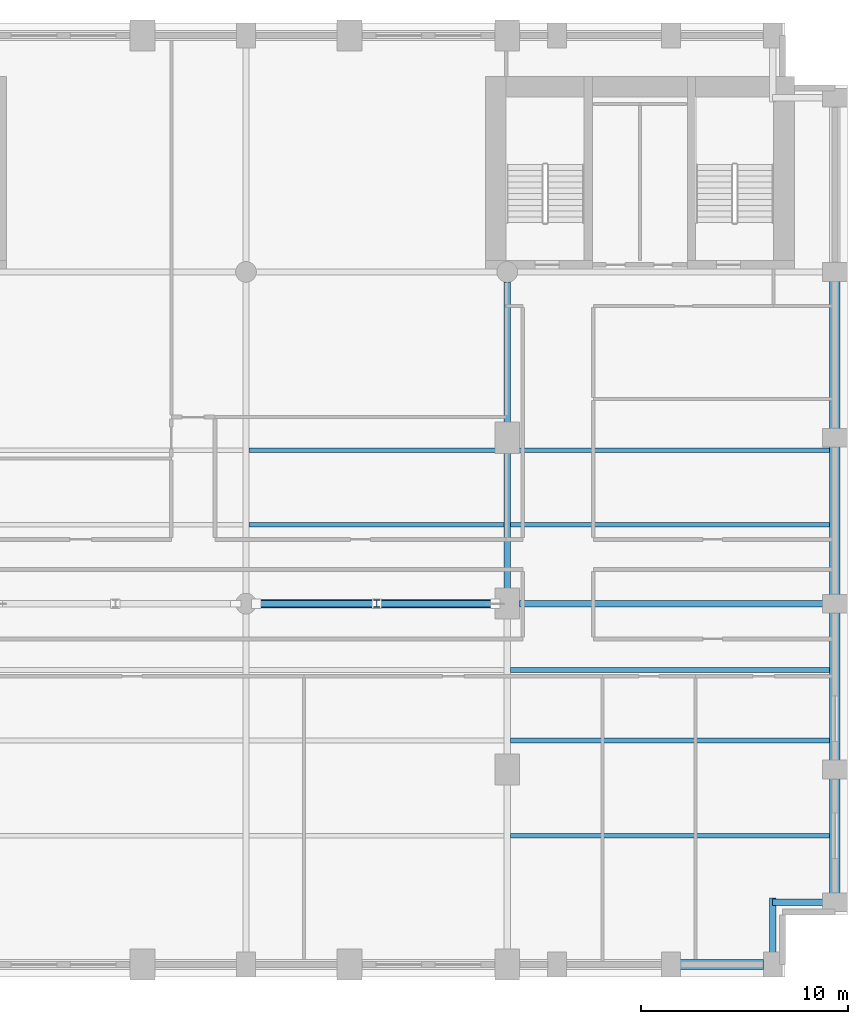
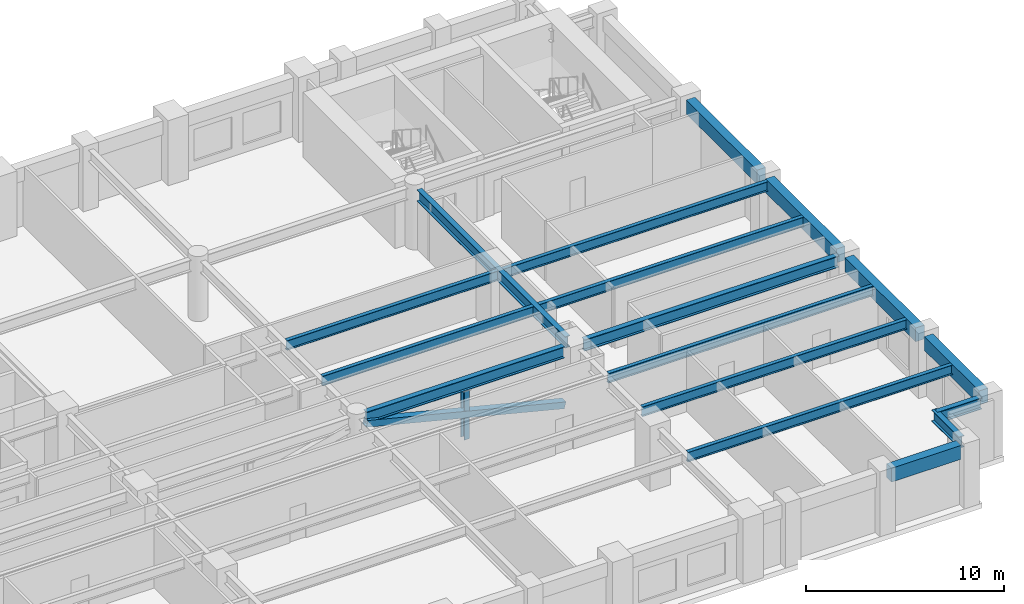
# One storey, part 3 of 10: 17 beams, 2 members.
"""IFC4 building model written with IfcOpenShell, lengths in metres."""

from ifc_helpers import new_model, si_unit, direction, frame, origin, origin_2d, place, context, subcontext, project, spatial, rectangle, hollow_rectangle, i_section, extrude, material, material_profile, profile_set, type_object, element, save


model = new_model("IFC4")

# Units and contexts
model_context = context("Model", 3, precision=1e-05, world=origin(), true_north=direction((0.0, 1.0)))
body_context = subcontext(model_context, "Body", "Model", "MODEL_VIEW")
ifc_project = project(units=[si_unit("LENGTHUNIT", "METRE"), si_unit("AREAUNIT", "SQUARE_METRE"), si_unit("VOLUMEUNIT", "CUBIC_METRE"), si_unit("PLANEANGLEUNIT", "RADIAN"), si_unit("MASSUNIT", "GRAM", prefix="KILO")], contexts=[model_context])

# Site, building, storey
site_placement = place(None, origin())
site = spatial("IfcSite", under=ifc_project, at=site_placement, CompositionType="ELEMENT")
building_placement = place(site_placement, origin())
building = spatial("IfcBuilding", under=site, at=building_placement, Name="Sulina Concourse Tower", CompositionType="ELEMENT")
storey_placement = place(building_placement, frame((0.0, 0.0, 58.60009765625)))
storey = spatial("IfcBuildingStorey", under=building, at=storey_placement, Name="L14", CompositionType="ELEMENT", Elevation=58.60009765625)

# Beams
ifc_material_1 = material(Name="Steel S355", Category="steel")
ifc_material_profile_1 = material_profile(ifc_material_1, i_section(OverallWidth=0.219970703125, OverallDepth=0.60009765625, WebThickness=0.011962890625, FlangeThickness=0.01904296875, at=origin_2d()), Name="IPE 600")
ifc_profile_set_1 = profile_set([ifc_material_profile_1], Name="Steel S355")
beam_type_1 = type_object("IfcBeamType", Name="Composite Floor Joist IPE600", PredefinedType="JOIST", material=ifc_profile_set_1)
for number, where, z_axis, x_axis, name in (
    (1, (41.75, 6.800048828125, 3.39990234375), (1.0, 0.0, 0.0), (0.0, 1.0, 0.0), "FJ-J06-4-L14"),
    (2, (41.75, 11.39990234375, 3.39990234375), (1.0, 0.0, 0.0), (0.0, 1.0, 0.0), "FJ-J11-4-L14"),
    (3, (41.75, 14.800048828125, 3.39990234375), (1.0, 0.0, 0.0), (0.0, 1.0, 0.0), "FJ-J15-4-L14"),
):
    element("IfcBeam", number, at=place(storey_placement, frame(where, z_axis=z_axis, x_axis=x_axis)), inside=storey, type_object=beam_type_1, Name=name, PredefinedType="JOIST", context=body_context, shape_type="SweptSolid", body=[
        extrude(i_section(OverallWidth=0.219970703125, OverallDepth=0.60009765625, WebThickness=0.011962890625, FlangeThickness=0.01904296875, at=origin_2d()), origin(), (0.0, 0.0, 1.0), 15.39990234375),
    ])
beam_1_placement = place(storey_placement, frame((29.14990234375, 21.800048828125, 3.39990234375), z_axis=(1.0, 0.0, 0.0), x_axis=(0.0, 1.0, 0.0)))
element("IfcBeam", 4, at=beam_1_placement, inside=storey, type_object=beam_type_1, Name="FJ-J22-3-L14", PredefinedType="JOIST", context=body_context, shape_type="SweptSolid", body=[
    extrude(i_section(OverallWidth=0.219970703125, OverallDepth=0.60009765625, WebThickness=0.011962890625, FlangeThickness=0.01904296875, at=origin_2d()), origin(), (0.0, 0.0, 1.0), 12.300048828125),
])
beam_2_placement = place(storey_placement, frame((41.75, 21.800048828125, 3.39990234375), z_axis=(1.0, 0.0, 0.0), x_axis=(0.0, 1.0, 0.0)))
element("IfcBeam", 5, at=beam_2_placement, inside=storey, type_object=beam_type_1, Name="FJ-J22-4-L14", PredefinedType="JOIST", context=body_context, shape_type="SweptSolid", body=[
    extrude(i_section(OverallWidth=0.219970703125, OverallDepth=0.60009765625, WebThickness=0.011962890625, FlangeThickness=0.01904296875, at=origin_2d()), origin(), (0.0, 0.0, 1.0), 15.39990234375),
])
beam_3_placement = place(storey_placement, frame((29.14990234375, 25.39990234375, 3.39990234375), z_axis=(1.0, 0.0, 0.0), x_axis=(0.0, 1.0, 0.0)))
element("IfcBeam", 6, at=beam_3_placement, inside=storey, type_object=beam_type_1, Name="FJ-J25-3-L14", PredefinedType="JOIST", context=body_context, shape_type="SweptSolid", body=[
    extrude(i_section(OverallWidth=0.219970703125, OverallDepth=0.60009765625, WebThickness=0.011962890625, FlangeThickness=0.01904296875, at=origin_2d()), origin(), (0.0, 0.0, 1.0), 12.300048828125),
])
beam_4_placement = place(storey_placement, frame((41.75, 25.39990234375, 3.39990234375), z_axis=(1.0, 0.0, 0.0), x_axis=(0.0, 1.0, 0.0)))
element("IfcBeam", 7, at=beam_4_placement, inside=storey, type_object=beam_type_1, Name="FJ-J25-4-L14", PredefinedType="JOIST", context=body_context, shape_type="SweptSolid", body=[
    extrude(i_section(OverallWidth=0.219970703125, OverallDepth=0.60009765625, WebThickness=0.011962890625, FlangeThickness=0.01904296875, at=origin_2d()), origin(), (0.0, 0.0, 1.0), 15.39990234375),
])
ifc_material_2 = material(Name="Steel S355", Category="steel")
ifc_material_profile_2 = material_profile(ifc_material_2, i_section(OverallWidth=0.300048828125, OverallDepth=0.699951171875, WebThickness=0.01708984375, FlangeThickness=0.031982421875, at=origin_2d()), Name="HE 700 B")
ifc_profile_set_2 = profile_set([ifc_material_profile_2], Name="Steel S355")
beam_type_2 = type_object("IfcBeamType", Name="Floor Primary Girder Zone 1 HE700B", PredefinedType="BEAM", material=ifc_profile_set_2)
beam_5_placement = place(storey_placement, frame((54.39990234375, 3.60009765625, 3.349853515625), z_axis=(1.0, 0.0, 0.0), x_axis=(0.0, 1.0, 0.0)))
element("IfcBeam", 8, at=beam_5_placement, inside=storey, type_object=beam_type_2, Name="TIE-SE-L14", PredefinedType="BEAM", context=body_context, shape_type="SweptSolid", body=[
    extrude(i_section(OverallWidth=0.300048828125, OverallDepth=0.699951171875, WebThickness=0.01708984375, FlangeThickness=0.031982421875, at=origin_2d()), origin(), (0.0, 0.0, 1.0), 2.570068359375),
])
beam_6_placement = place(storey_placement, frame((54.39990234375, 1.030029296875, 3.349853515625), z_axis=(0.0, 1.0, 0.0), x_axis=(-1.0, 0.0, 0.0)))
element("IfcBeam", 9, at=beam_6_placement, inside=storey, type_object=beam_type_2, Name="TIE-SES-L14", PredefinedType="BEAM", context=body_context, shape_type="SweptSolid", body=[
    extrude(i_section(OverallWidth=0.300048828125, OverallDepth=0.699951171875, WebThickness=0.01708984375, FlangeThickness=0.031982421875, at=origin_2d()), origin(), (0.0, 0.0, 1.0), 2.77001953125),
])
beam_7_placement = place(storey_placement, frame((29.47998046875, 18.0, 3.349853515625), z_axis=(1.0, 0.0, 0.0), x_axis=(0.0, 1.0, 0.0)))
element("IfcBeam", 10, at=beam_7_placement, inside=storey, type_object=beam_type_2, Name="FG-EW3-L14", PredefinedType="BEAM", context=body_context, shape_type="SweptSolid", body=[
    extrude(i_section(OverallWidth=0.300048828125, OverallDepth=0.699951171875, WebThickness=0.01708984375, FlangeThickness=0.031982421875, at=origin_2d()), origin(), (0.0, 0.0, 1.0), 11.5400390625),
])
beam_8_placement = place(storey_placement, frame((42.179931640625, 18.0, 3.349853515625), z_axis=(1.0, 0.0, 0.0), x_axis=(0.0, 1.0, 0.0)))
element("IfcBeam", 11, at=beam_8_placement, inside=storey, type_object=beam_type_2, Name="FG-EW4-L14", PredefinedType="BEAM", context=body_context, shape_type="SweptSolid", body=[
    extrude(i_section(OverallWidth=0.300048828125, OverallDepth=0.699951171875, WebThickness=0.01708984375, FlangeThickness=0.031982421875, at=origin_2d()), origin(), (0.0, 0.0, 1.0), 14.7900390625),
])
beam_9_placement = place(storey_placement, frame((41.60009765625, 18.580078125, 3.349853515625), z_axis=(0.0, 1.0, 0.0), x_axis=(-1.0, 0.0, 0.0)))
element("IfcBeam", 12, at=beam_9_placement, inside=storey, type_object=beam_type_2, Name="FG-NSB-41-L14", PredefinedType="BEAM", context=body_context, shape_type="SweptSolid", body=[
    extrude(i_section(OverallWidth=0.300048828125, OverallDepth=0.699951171875, WebThickness=0.01708984375, FlangeThickness=0.031982421875, at=origin_2d()), origin(), (0.0, 0.0, 1.0), 14.93994140625),
])

# Member
ifc_material_3 = material(Name="Steel S355", Category="steel")
ifc_material_profile_3 = material_profile(ifc_material_3, hollow_rectangle(XDim=0.39990234375, YDim=0.39990234375, WallThickness=0.02001953125, at=origin_2d()), Name="SHS 400x400x20")
ifc_profile_set_3 = profile_set([ifc_material_profile_3], Name="Steel S355")
member_type_1 = type_object("IfcMemberType", Name="Lower Portal Bridge Web Brace SHS400x400x20", PredefinedType="BRACE", material=ifc_profile_set_3)
member_1_placement = place(storey_placement, frame((41.010009765625, 18.0, 0.119873046875), z_axis=(-0.969941447513, 0.0, 0.243338423593), x_axis=(0.0, -1.0, 0.0)))
element("IfcMember", 13, at=member_1_placement, inside=storey, type_object=member_type_1, Name="LBT-DG-2-L14", PredefinedType="BRACE", context=body_context, shape_type="SweptSolid", body=[
    extrude(hollow_rectangle(XDim=0.39990234375, YDim=0.39990234375, WallThickness=0.02001953125, at=origin_2d()), origin(), (0.0, 0.0, 1.0), 11.876953125),
])

# Beams
ifc_material_4 = material(Name="Precast concrete C50/60", Category="concrete")
ifc_material_profile_4 = material_profile(ifc_material_4, rectangle(XDim=0.5, YDim=0.85009765625, at=origin_2d()), Name="RC 500x850")
ifc_profile_set_4 = profile_set([ifc_material_profile_4], Name="Precast concrete C50/60")
beam_type_3 = type_object("IfcBeamType", Name="Lower Precast Spandrel Edge Beam 500x850", PredefinedType="BEAM", material=ifc_profile_set_4)
beam_10_placement = place(storey_placement, frame((49.929931640625, 0.60009765625, 3.27490234375), z_axis=(1.0, 0.0, 0.0), x_axis=(0.0, 1.0, 0.0)))
element("IfcBeam", 14, at=beam_10_placement, inside=storey, type_object=beam_type_3, Name="SP-S10-L14", PredefinedType="BEAM", context=body_context, shape_type="SweptSolid", body=[
    extrude(rectangle(XDim=0.5, YDim=0.85009765625, at=origin_2d()), origin(), (0.0, 0.0, 1.0), 4.0400390625),
])
beam_11_placement = place(storey_placement, frame((57.39990234375, 4.030029296875, 3.27490234375), z_axis=(0.0, 1.0, 0.0), x_axis=(-1.0, 0.0, 0.0)))
element("IfcBeam", 15, at=beam_11_placement, inside=storey, type_object=beam_type_3, Name="SP-E1-L14", PredefinedType="BEAM", context=body_context, shape_type="SweptSolid", body=[
    extrude(rectangle(XDim=0.5, YDim=0.85009765625, at=origin_2d()), origin(), (0.0, 0.0, 1.0), 5.5400390625),
])
for number, where, z_axis, x_axis, name in (
    (16, (57.39990234375, 10.429931640625, 3.27490234375), (0.0, 1.0, 0.0), (-1.0, 0.0, 0.0), "SP-E2-L14"),
    (17, (57.39990234375, 18.429931640625, 3.27490234375), (0.0, 1.0, 0.0), (-1.0, 0.0, 0.0), "SP-E3-L14"),
    (18, (57.39990234375, 26.429931640625, 3.27490234375), (0.0, 1.0, 0.0), (-1.0, 0.0, 0.0), "SP-E4-L14"),
):
    element("IfcBeam", number, at=place(storey_placement, frame(where, z_axis=z_axis, x_axis=x_axis)), inside=storey, type_object=beam_type_3, Name=name, PredefinedType="BEAM", context=body_context, shape_type="SweptSolid", body=[
        extrude(rectangle(XDim=0.5, YDim=0.85009765625, at=origin_2d()), origin(), (0.0, 0.0, 1.0), 7.14013671875),
    ])

# Member
ifc_material_5 = material(Name="Steel S355", Category="steel")
ifc_material_profile_5 = material_profile(ifc_material_5, i_section(OverallWidth=0.300048828125, OverallDepth=0.360107421875, WebThickness=0.012451171875, FlangeThickness=0.0224609375, at=origin_2d()), Name="HE 360 B")
ifc_profile_set_5 = profile_set([ifc_material_profile_5], Name="Steel S355")
member_type_2 = type_object("IfcMemberType", Name="Truss Vertical Post Strut HE360B", PredefinedType="STRUT", material=ifc_profile_set_5)
member_2_placement = place(storey_placement, frame((35.300048828125, 18.0, 0.0048828125), z_axis=(0.0, 0.0, 1.0), x_axis=(1.0, 0.0, 0.0)))
element("IfcMember", 19, at=member_2_placement, inside=storey, type_object=member_type_2, Name="LBT-VP-2-L14", PredefinedType="STRUT", context=body_context, shape_type="SweptSolid", body=[
    extrude(i_section(OverallWidth=0.300048828125, OverallDepth=0.360107421875, WebThickness=0.012451171875, FlangeThickness=0.0224609375, at=origin_2d()), origin(), (0.0, 0.0, 1.0), 3.005126953125),
])

save(model, "model.ifc")
